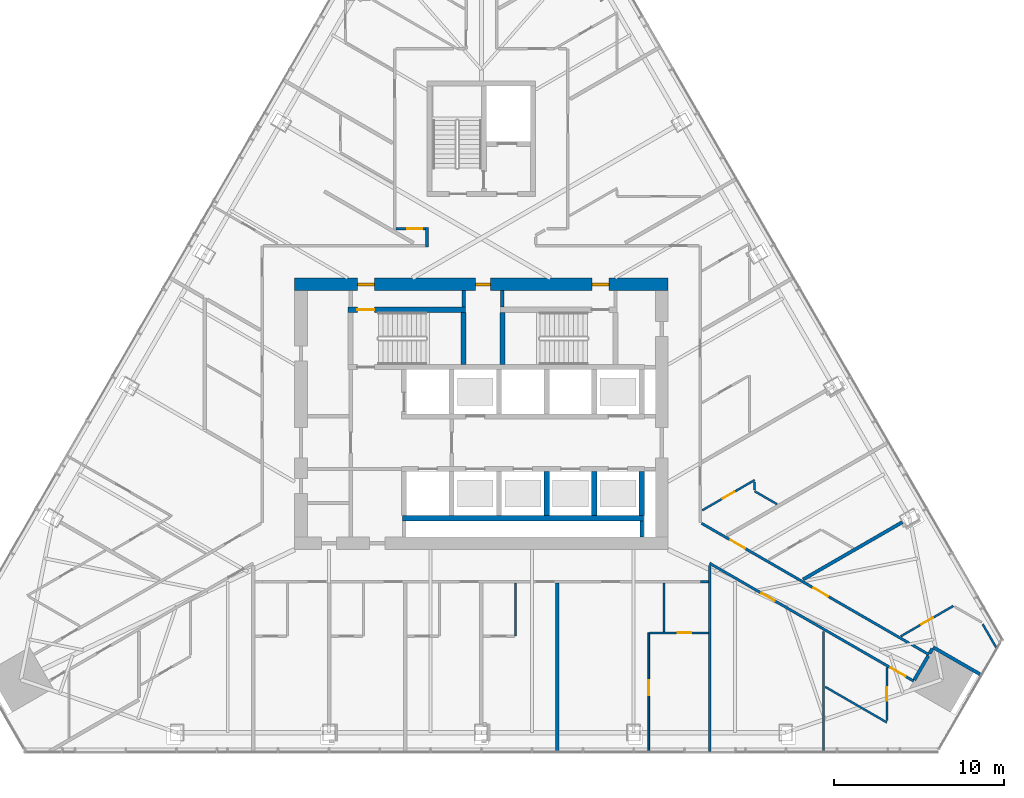
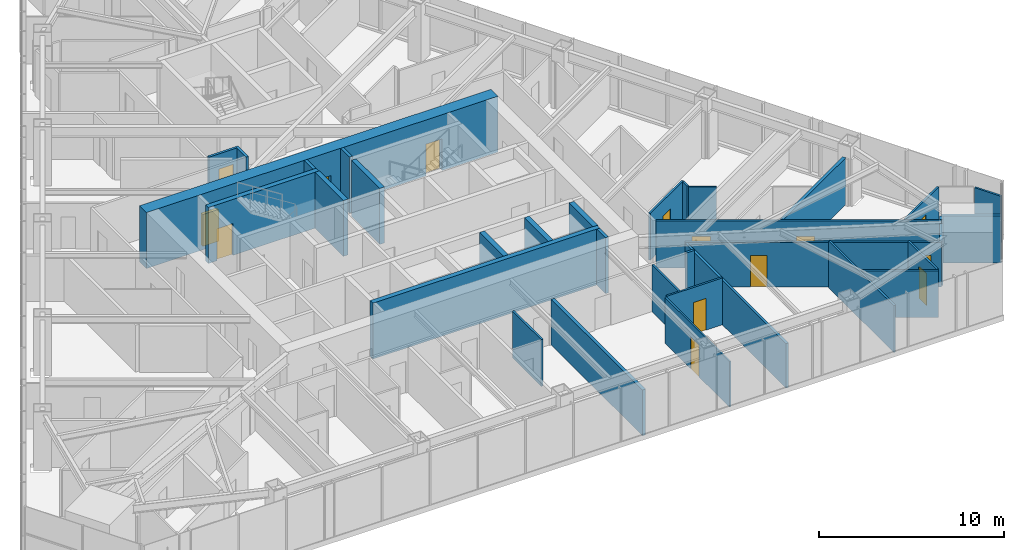
# One storey, part 16 of 21: 34 walls, 14 doors, 14 openings.
"""IFC4 building model written with IfcOpenShell, lengths in metres."""

from ifc_helpers import new_model, si_unit, direction, frame, frame_2d, origin, place, context, subcontext, project, spatial, rectangle, extrude, material, layer, layer_set, type_object, element, fill, save


model = new_model("IFC4")

# Units and contexts
model_context = context("Model", 3, precision=1e-05, world=origin(), true_north=direction((0.0, 1.0)))
body_context = subcontext(model_context, "Body", "Model", "MODEL_VIEW")
ifc_project = project(units=[si_unit("LENGTHUNIT", "METRE"), si_unit("AREAUNIT", "SQUARE_METRE"), si_unit("VOLUMEUNIT", "CUBIC_METRE"), si_unit("PLANEANGLEUNIT", "RADIAN"), si_unit("MASSUNIT", "GRAM", prefix="KILO")], contexts=[model_context])

# Site, building, storey
site_placement = place(None, origin())
site = spatial("IfcSite", under=ifc_project, at=site_placement, CompositionType="ELEMENT")
building_placement = place(site_placement, origin())
building = spatial("IfcBuilding", under=site, at=building_placement, Name="Firuza Gate Tower and Library", CompositionType="ELEMENT")
storey_placement = place(building_placement, frame((0.0, 0.0, 167.5)))
storey = spatial("IfcBuildingStorey", under=building, at=storey_placement, Name="L38", CompositionType="ELEMENT", Elevation=167.5)

# Walls
ifc_material_1 = material(Name="Plasterboard on steel studs", Category="steel")
ifc_layer_1 = layer(ifc_material_1, 0.199951171875)
ifc_layer_set_1 = layer_set([ifc_layer_1], Name="Core partition 200 EI 120")
wall_type_1 = type_object("IfcWallType", Name="Core partition 200 EI 120", PredefinedType="PARTITIONING", material=ifc_layer_set_1)
wall_1_placement = place(storey_placement, frame((84.449951171875, 67.75, 0.0), z_axis=(0.0, 0.0, 1.0), x_axis=(0.0, 1.0, 0.0)))
element("IfcWall", 1, at=wall_1_placement, inside=storey, type_object=wall_type_1, Name="Core partition L38 15", PredefinedType="PARTITIONING", context=body_context, shape_type="SweptSolid", body=[
    extrude(rectangle(XDim=0.949951171875, YDim=0.199951171875, at=frame_2d((0.47509765625, 0.0))), origin(), (0.0, 0.0, 1.0), 3.699951171875),
])
ifc_material_2 = material(Name="Plasterboard on steel studs", Category="steel")
ifc_layer_2 = layer(ifc_material_2, 0.199951171875)
ifc_layer_set_2 = layer_set([ifc_layer_2], Name="Core partition 200 EI 60")
wall_type_2 = type_object("IfcWallType", Name="Core partition 200 EI 60", PredefinedType="PARTITIONING", material=ifc_layer_set_2)
for number, where, z_axis, x_axis, name in (
    (2, (73.9599609375, 81.280029296875, 0.0), (0.0, 0.0, 1.0), (0.0, 1.0, 0.0), "Core partition L38 12"),
    (3, (76.239990234375, 81.280029296875, 0.0), (0.0, 0.0, 1.0), (0.0, 1.0, 0.0), "Core partition L38 13"),
):
    element("IfcWall", number, at=place(storey_placement, frame(where, z_axis=z_axis, x_axis=x_axis)), inside=storey, type_object=wall_type_2, Name=name, PredefinedType="PARTITIONING", context=body_context, shape_type="SweptSolid", body=[
        extrude(rectangle(XDim=0.969970703125, YDim=0.199951171875, at=frame_2d((0.48486328125, 0.0))), origin(), (0.0, 0.0, 1.0), 3.699951171875),
    ])
ifc_material_3 = material(Name="Concrete C80/95", Category="concrete")
ifc_layer_3 = layer(ifc_material_3, 0.300048828125)
ifc_layer_set_3 = layer_set([ifc_layer_3], Name="Core wall 300 C80/95")
wall_type_3 = type_object("IfcWallType", Name="Core wall 300 C80/95", PredefinedType="SHEAR", material=ifc_layer_set_3)
wall_2_placement = place(storey_placement, frame((70.35009765625, 68.85009765625, 0.0), z_axis=(0.0, 0.0, 1.0), x_axis=(1.0, 0.0, 0.0)))
element("IfcWall", 4, at=wall_2_placement, inside=storey, type_object=wall_type_3, Name="Core wall L38 5", PredefinedType="SHEAR", context=body_context, shape_type="SweptSolid", body=[
    extrude(rectangle(XDim=14.199951171875, YDim=0.300048828125, at=frame_2d((7.10009765625, 0.0))), origin(), (0.0, 0.0, 1.0), 3.699951171875),
])
for number, where, z_axis, x_axis, name in (
    (5, (78.85009765625, 69.0, 0.0), (0.0, 0.0, 1.0), (0.0, 1.0, 0.0), "Core wall L38 14"),
    (6, (81.64990234375, 69.0, 0.0), (0.0, 0.0, 1.0), (0.0, 1.0, 0.0), "Core wall L38 16"),
    (7, (84.449951171875, 69.0, 0.0), (0.0, 0.0, 1.0), (0.0, 1.0, 0.0), "Core wall L38 18"),
):
    element("IfcWall", number, at=place(storey_placement, frame(where, z_axis=z_axis, x_axis=x_axis)), inside=storey, type_object=wall_type_3, Name=name, PredefinedType="SHEAR", context=body_context, shape_type="SweptSolid", body=[
        extrude(rectangle(XDim=2.60009765625, YDim=0.300048828125, at=frame_2d((1.300048828125, 0.0))), origin(), (0.0, 0.0, 1.0), 3.699951171875),
    ])

# Wall, opening, door
wall_3_placement = place(storey_placement, frame((67.14990234375, 81.1298828125, 0.0), z_axis=(0.0, 0.0, 1.0), x_axis=(1.0, 0.0, 0.0)))
wall_3 = element("IfcWall", 8, at=wall_3_placement, inside=storey, type_object=wall_type_3, Name="Core wall L38 21", PredefinedType="SHEAR", context=body_context, shape_type="SweptSolid", body=[
    extrude(rectangle(XDim=6.91015625, YDim=0.300048828125, at=frame_2d((3.455078125, 0.0))), origin(), (0.0, 0.0, 1.0), 3.699951171875),
])
opening_1_placement = place(wall_3_placement, frame((0.544921875, 0.0, 0.0)))
opening_1 = element("IfcOpeningElement", 9, at=opening_1_placement, cuts=wall_3, Name="Opening L38-K11", PredefinedType="OPENING", context=body_context, shape_type="SweptSolid", body=[
    extrude(rectangle(XDim=1.0, YDim=2.10009765625, at=frame_2d((0.5, 1.050048828125))), frame((0.0, 0.16015625, 0.0), z_axis=(0.0, -1.0, 0.0), x_axis=(1.0, 0.0, 0.0)), (0.0, 0.0, 1.0), 0.320068359375),
])
ifc_material_4 = material(Name="Steel", Category="steel")
door_type_1 = type_object("IfcDoorType", Name="Fire door 1000x2100 FD90", OperationType="NOTDEFINED", PredefinedType="DOOR", material=ifc_material_4)
door_1_placement = place(opening_1_placement, origin())
door_1 = element("IfcDoor", 10, at=door_1_placement, inside=storey, type_object=door_type_1, Name="Door L38-K11", OperationType="SINGLE_SWING_RIGHT", OverallHeight=2.10009765625, OverallWidth=1.0, PredefinedType="DOOR", context=body_context, shape_type="SweptSolid", body=[
    extrude(rectangle(XDim=1.0, YDim=2.10009765625, at=frame_2d((0.5, 1.050048828125))), frame((0.0, 0.02490234375, 0.0), z_axis=(0.0, -1.0, 0.0), x_axis=(1.0, 0.0, 0.0)), (0.0, 0.0, 1.0), 0.050048828125),
])
fill(opening_1, door_1)

# Walls
for number, where, z_axis, x_axis, name in (
    (11, (73.9599609375, 77.89990234375, 0.0), (0.0, 0.0, 1.0), (0.0, 1.0, 0.0), "Core wall L38 24"),
    (12, (76.239990234375, 77.89990234375, 0.0), (0.0, 0.0, 1.0), (0.0, 1.0, 0.0), "Core wall L38 25"),
):
    element("IfcWall", number, at=place(storey_placement, frame(where, z_axis=z_axis, x_axis=x_axis)), inside=storey, type_object=wall_type_3, Name=name, PredefinedType="SHEAR", context=body_context, shape_type="SweptSolid", body=[
        extrude(rectangle(XDim=3.080078125, YDim=0.300048828125, at=frame_2d((1.5400390625, 0.0))), origin(), (0.0, 0.0, 1.0), 3.699951171875),
    ])

# Wall, openings, doors
ifc_material_5 = material(Name="Concrete C80/95", Category="concrete")
ifc_layer_4 = layer(ifc_material_5, 0.75)
ifc_layer_set_4 = layer_set([ifc_layer_4], Name="Core wall 750 C80/95")
wall_type_4 = type_object("IfcWallType", Name="Core wall 750 C80/95", PredefinedType="SHEAR", material=ifc_layer_set_4)
wall_4_placement = place(storey_placement, frame((64.0, 82.625, 0.0), z_axis=(0.0, 0.0, 1.0), x_axis=(1.0, 0.0, 0.0)))
wall_4 = element("IfcWall", 13, at=wall_4_placement, inside=storey, type_object=wall_type_4, Name="Core wall L38 2", PredefinedType="SHEAR", context=body_context, shape_type="SweptSolid", body=[
    extrude(rectangle(XDim=22.0, YDim=0.75, at=frame_2d((11.0, 0.0))), origin(), (0.0, 0.0, 1.0), 3.699951171875),
])
opening_2_placement = place(wall_4_placement, frame((3.695068359375, 0.0, 0.0)))
opening_2 = element("IfcOpeningElement", 14, at=opening_2_placement, cuts=wall_4, Name="Opening L38-K12", PredefinedType="OPENING", context=body_context, shape_type="SweptSolid", body=[
    extrude(rectangle(XDim=1.0, YDim=2.10009765625, at=frame_2d((0.5, 1.050048828125))), frame((0.0, 0.385009765625, 0.0), z_axis=(0.0, -1.0, 0.0), x_axis=(1.0, 0.0, 0.0)), (0.0, 0.0, 1.0), 0.77001953125),
])
opening_3_placement = place(wall_4_placement, frame((17.5048828125, 0.0, 0.0)))
opening_3 = element("IfcOpeningElement", 15, at=opening_3_placement, cuts=wall_4, Name="Opening L38-K14", PredefinedType="OPENING", context=body_context, shape_type="SweptSolid", body=[
    extrude(rectangle(XDim=1.0, YDim=2.10009765625, at=frame_2d((0.5, 1.050048828125))), frame((0.0, 0.385009765625, 0.0), z_axis=(0.0, -1.0, 0.0), x_axis=(1.0, 0.0, 0.0)), (0.0, 0.0, 1.0), 0.77001953125),
])
opening_4_placement = place(wall_4_placement, frame((10.64990234375, 0.0, 0.0)))
opening_4 = element("IfcOpeningElement", 16, at=opening_4_placement, cuts=wall_4, Name="Opening L38-K26", PredefinedType="OPENING", context=body_context, shape_type="SweptSolid", body=[
    extrude(rectangle(XDim=0.89990234375, YDim=2.10009765625, at=frame_2d((0.449951171875, 1.050048828125))), frame((0.0, 0.385009765625, 0.0), z_axis=(0.0, -1.0, 0.0), x_axis=(1.0, 0.0, 0.0)), (0.0, 0.0, 1.0), 0.77001953125),
])
door_2_placement = place(opening_2_placement, origin())
door_2 = element("IfcDoor", 17, at=door_2_placement, inside=storey, type_object=door_type_1, Name="Door L38-K12", OperationType="SINGLE_SWING_LEFT", OverallHeight=2.10009765625, OverallWidth=1.0, PredefinedType="DOOR", context=body_context, shape_type="SweptSolid", body=[
    extrude(rectangle(XDim=1.0, YDim=2.10009765625, at=frame_2d((0.5, 1.050048828125))), frame((0.0, 0.094970703125, 0.0), z_axis=(0.0, -1.0, 0.0), x_axis=(1.0, 0.0, 0.0)), (0.0, 0.0, 1.0), 0.18994140625),
])
fill(opening_2, door_2)
door_3_placement = place(opening_3_placement, origin())
door_3 = element("IfcDoor", 18, at=door_3_placement, inside=storey, type_object=door_type_1, Name="Door L38-K14", OperationType="SINGLE_SWING_LEFT", OverallHeight=2.10009765625, OverallWidth=1.0, PredefinedType="DOOR", context=body_context, shape_type="SweptSolid", body=[
    extrude(rectangle(XDim=1.0, YDim=2.10009765625, at=frame_2d((0.5, 1.050048828125))), frame((0.0, 0.094970703125, 0.0), z_axis=(0.0, -1.0, 0.0), x_axis=(1.0, 0.0, 0.0)), (0.0, 0.0, 1.0), 0.18994140625),
])
fill(opening_3, door_3)
ifc_material_6 = material(Name="Steel", Category="steel")
door_type_2 = type_object("IfcDoorType", Name="Fire door 900x2100 FD30S", OperationType="NOTDEFINED", PredefinedType="DOOR", material=ifc_material_6)
door_4_placement = place(opening_4_placement, origin())
door_4 = element("IfcDoor", 19, at=door_4_placement, inside=storey, type_object=door_type_2, Name="Door L38-K26", OperationType="SINGLE_SWING_LEFT", OverallHeight=2.10009765625, OverallWidth=0.89990234375, PredefinedType="DOOR", context=body_context, shape_type="SweptSolid", body=[
    extrude(rectangle(XDim=0.89990234375, YDim=2.10009765625, at=frame_2d((0.449951171875, 1.050048828125))), frame((0.0, 0.094970703125, 0.0), z_axis=(0.0, -1.0, 0.0), x_axis=(1.0, 0.0, 0.0)), (0.0, 0.0, 1.0), 0.18994140625),
])
fill(opening_4, door_4)

# Wall
ifc_material_7 = material(Name="Gypsum board partition")
ifc_layer_5 = layer(ifc_material_7, 0.14990234375)
ifc_layer_set_5 = layer_set([ifc_layer_5], Name="Corridor wall 150 double board on steel studs")
wall_type_5 = type_object("IfcWallType", Name="Corridor wall 150 double board on steel studs", PredefinedType="PARTITIONING", material=ifc_layer_set_5)
wall_5_placement = place(storey_placement, frame((87.89990234375, 65.118896484375, 0.0), z_axis=(0.0, 0.0, 1.0), x_axis=(1.0, 0.0, 0.0)))
element("IfcWall", 20, at=wall_5_placement, inside=storey, type_object=wall_type_5, Name="f:L38:w010", PredefinedType="PARTITIONING", context=body_context, shape_type="SweptSolid", body=[
    extrude(rectangle(XDim=0.468017578125, YDim=0.14990234375, at=frame_2d((0.23388671875, 0.0))), origin(), (0.0, 0.0, 1.0), 3.10009765625),
])

# Wall, opening, door
wall_6_placement = place(storey_placement, frame((69.9755859375, 85.89990234375, 0.0), z_axis=(0.0, 0.0, 1.0), x_axis=(1.0, 0.0, 0.0)))
wall_6 = element("IfcWall", 21, at=wall_6_placement, inside=storey, type_object=wall_type_5, Name="f:L38:w013", PredefinedType="PARTITIONING", context=body_context, shape_type="SweptSolid", body=[
    extrude(rectangle(XDim=1.74951171875, YDim=0.14990234375, at=frame_2d((0.874755859375, 0.0))), origin(), (0.0, 0.0, 1.0), 3.10009765625),
])
opening_5_placement = place(wall_6_placement, frame((0.645751953125, 0.0, 0.0)))
opening_5 = element("IfcOpeningElement", 22, at=opening_5_placement, cuts=wall_6, Name="Opening L38-12", PredefinedType="OPENING", context=body_context, shape_type="SweptSolid", body=[
    extrude(rectangle(XDim=0.89990234375, YDim=2.10009765625, at=frame_2d((0.449951171875, 1.050048828125))), frame((0.0, 0.0849609375, 0.0), z_axis=(0.0, -1.0, 0.0), x_axis=(1.0, 0.0, 0.0)), (0.0, 0.0, 1.0), 0.169921875),
])
ifc_material_8 = material(Name="Steel door and timber leaf", Category="steel")
door_type_3 = type_object("IfcDoorType", Name="Fire door 900 x 2100 steel frame, timber leaf", OperationType="NOTDEFINED", PredefinedType="DOOR", material=ifc_material_8)
door_5_placement = place(opening_5_placement, origin())
door_5 = element("IfcDoor", 23, at=door_5_placement, inside=storey, type_object=door_type_3, Name="f:L38:d012", OperationType="SINGLE_SWING_RIGHT", OverallHeight=2.10009765625, OverallWidth=0.89990234375, PredefinedType="DOOR", context=body_context, shape_type="SweptSolid", body=[
    extrude(rectangle(XDim=0.89990234375, YDim=2.10009765625, at=frame_2d((0.449951171875, 1.050048828125))), frame((0.0, 0.02490234375, 0.0), z_axis=(0.0, -1.0, 0.0), x_axis=(1.0, 0.0, 0.0)), (0.0, 0.0, 1.0), 0.050048828125),
])
fill(opening_5, door_5)

# Walls
wall_7_placement = place(storey_placement, frame((88.443115234375, 55.12060546875, 0.0), z_axis=(0.0, 0.0, 1.0), x_axis=(0.0, 1.0, 0.0)))
element("IfcWall", 24, at=wall_7_placement, inside=storey, type_object=wall_type_5, Name="f:L38:w053", PredefinedType="PARTITIONING", context=body_context, shape_type="SweptSolid", body=[
    extrude(rectangle(XDim=10.9423828125, YDim=0.14990234375, at=frame_2d((5.47119140625, 0.0))), origin(), (0.0, 0.0, 1.0), 2.947021484375),
])
wall_8_placement = place(storey_placement, frame((71.800048828125, 84.824951171875, 0.0), z_axis=(0.0, 0.0, 1.0), x_axis=(0.0, 1.0, 0.0)))
element("IfcWall", 25, at=wall_8_placement, inside=storey, type_object=wall_type_5, Name="f:L38:w070", PredefinedType="PARTITIONING", context=body_context, shape_type="SweptSolid", body=[
    extrude(rectangle(XDim=1.150146484375, YDim=0.14990234375, at=frame_2d((0.5751953125, 0.0))), origin(), (0.0, 0.0, 1.0), 3.10009765625),
])

# Wall, openings, doors
wall_9_placement = place(storey_placement, frame((87.97509765625, 68.548095703125, 0.0), z_axis=(0.0, 0.0, 1.0), x_axis=(0.866029648708, -0.499992647504, 0.0)))
wall_9 = element("IfcWall", 26, at=wall_9_placement, inside=storey, type_object=wall_type_5, Name="f:L38:w105", PredefinedType="PARTITIONING", context=body_context, shape_type="SweptSolid", body=[
    extrude(rectangle(XDim=15.460693359375, YDim=0.14990234375, at=frame_2d((7.73046875, 0.0))), origin(), (0.0, 0.0, 1.0), 3.10009765625),
])
opening_6_placement = place(wall_9_placement, frame((1.947998046875, 0.0, 0.0)))
opening_6 = element("IfcOpeningElement", 27, at=opening_6_placement, cuts=wall_9, Name="Opening L38-46", PredefinedType="OPENING", context=body_context, shape_type="SweptSolid", body=[
    extrude(rectangle(XDim=1.0, YDim=2.10009765625, at=frame_2d((0.5, 1.050048828125))), frame((0.0, 0.0849609375, 0.0), z_axis=(0.0, -1.0, 0.0), x_axis=(1.0, 0.0, 0.0)), (0.0, 0.0, 1.0), 0.169921875),
])
opening_7_placement = place(wall_9_placement, frame((7.60205078125, 0.0, 0.0)))
opening_7 = element("IfcOpeningElement", 28, at=opening_7_placement, cuts=wall_9, Name="Opening L38-47", PredefinedType="OPENING", context=body_context, shape_type="SweptSolid", body=[
    extrude(rectangle(XDim=1.0, YDim=2.10009765625, at=frame_2d((0.5, 1.050048828125))), frame((0.0, 0.0849609375, 0.0), z_axis=(0.0, -1.0, 0.0), x_axis=(1.0, 0.0, 0.0)), (0.0, 0.0, 1.0), 0.169921875),
])
ifc_material_9 = material(Name="Steel door and timber leaf", Category="steel")
door_type_4 = type_object("IfcDoorType", Name="Fire door 1000 x 2100 steel frame, timber leaf", OperationType="NOTDEFINED", PredefinedType="DOOR", material=ifc_material_9)
door_6_placement = place(opening_6_placement, origin())
door_6 = element("IfcDoor", 29, at=door_6_placement, inside=storey, type_object=door_type_4, Name="f:L38:d046", OperationType="SINGLE_SWING_RIGHT", OverallHeight=2.10009765625, OverallWidth=1.0, PredefinedType="DOOR", context=body_context, shape_type="SweptSolid", body=[
    extrude(rectangle(XDim=1.0, YDim=2.10009765625, at=frame_2d((0.5, 1.050048828125))), frame((0.0, 0.02490234375, 0.0), z_axis=(0.0, -1.0, 0.0), x_axis=(1.0, 0.0, 0.0)), (0.0, 0.0, 1.0), 0.050048828125),
])
fill(opening_6, door_6)
door_7_placement = place(opening_7_placement, origin())
door_7 = element("IfcDoor", 30, at=door_7_placement, inside=storey, type_object=door_type_4, Name="f:L38:d047", OperationType="SINGLE_SWING_RIGHT", OverallHeight=2.10009765625, OverallWidth=1.0, PredefinedType="DOOR", context=body_context, shape_type="SweptSolid", body=[
    extrude(rectangle(XDim=1.0, YDim=2.10009765625, at=frame_2d((0.5, 1.050048828125))), frame((0.0, 0.02490234375, 0.0), z_axis=(0.0, -1.0, 0.0), x_axis=(1.0, 0.0, 0.0)), (0.0, 0.0, 1.0), 0.050048828125),
])
fill(opening_7, door_7)

wall_10_placement = place(storey_placement, frame((100.464111328125, 59.25927734375, 0.0), z_axis=(0.0, 0.0, 1.0), x_axis=(-0.866026545444, 0.499998022582, 0.0)))
wall_10 = element("IfcWall", 31, at=wall_10_placement, inside=storey, type_object=wall_type_5, Name="f:L38:w106", PredefinedType="PARTITIONING", context=body_context, shape_type="SweptSolid", body=[
    extrude(rectangle(XDim=13.880859375, YDim=0.14990234375, at=frame_2d((6.9404296875, 0.0))), origin(), (0.0, 0.0, 1.0), 2.947021484375),
])
opening_8_placement = place(wall_10_placement, frame((0.56591796875, 0.0, 0.0)))
opening_8 = element("IfcOpeningElement", 32, at=opening_8_placement, cuts=wall_10, Name="Opening L38-48", PredefinedType="OPENING", context=body_context, shape_type="SweptSolid", body=[
    extrude(rectangle(XDim=1.0, YDim=2.10009765625, at=frame_2d((0.5, 1.050048828125))), frame((0.0, 0.0849609375, 0.0), z_axis=(0.0, -1.0, 0.0), x_axis=(1.0, 0.0, 0.0)), (0.0, 0.0, 1.0), 0.169921875),
])
opening_9_placement = place(wall_10_placement, frame((9.448486328125, 0.0, 0.0)))
opening_9 = element("IfcOpeningElement", 33, at=opening_9_placement, cuts=wall_10, Name="Opening L38-49", PredefinedType="OPENING", context=body_context, shape_type="SweptSolid", body=[
    extrude(rectangle(XDim=0.89990234375, YDim=2.10009765625, at=frame_2d((0.449951171875, 1.050048828125))), frame((0.0, 0.0849609375, 0.0), z_axis=(0.0, -1.0, 0.0), x_axis=(1.0, 0.0, 0.0)), (0.0, 0.0, 1.0), 0.169921875),
])
door_8_placement = place(opening_8_placement, origin())
door_8 = element("IfcDoor", 34, at=door_8_placement, inside=storey, type_object=door_type_4, Name="f:L38:d048", OperationType="SINGLE_SWING_LEFT", OverallHeight=2.10009765625, OverallWidth=1.0, PredefinedType="DOOR", context=body_context, shape_type="SweptSolid", body=[
    extrude(rectangle(XDim=1.0, YDim=2.10009765625, at=frame_2d((0.5, 1.050048828125))), frame((0.0, 0.02490234375, 0.0), z_axis=(0.0, -1.0, 0.0), x_axis=(1.0, 0.0, 0.0)), (0.0, 0.0, 1.0), 0.050048828125),
])
fill(opening_8, door_8)
door_9_placement = place(opening_9_placement, origin())
door_9 = element("IfcDoor", 35, at=door_9_placement, inside=storey, type_object=door_type_3, Name="f:L38:d049", OperationType="SINGLE_SWING_RIGHT", OverallHeight=2.10009765625, OverallWidth=0.89990234375, PredefinedType="DOOR", context=body_context, shape_type="SweptSolid", body=[
    extrude(rectangle(XDim=0.89990234375, YDim=2.10009765625, at=frame_2d((0.449951171875, 1.050048828125))), frame((0.0, 0.02490234375, 0.0), z_axis=(0.0, -1.0, 0.0), x_axis=(1.0, 0.0, 0.0)), (0.0, 0.0, 1.0), 0.050048828125),
])
fill(opening_9, door_9)

# Walls
ifc_material_10 = material(Name="Gypsum board partition")
ifc_layer_6 = layer(ifc_material_10, 0.199951171875)
ifc_layer_set_6 = layer_set([ifc_layer_6], Name="Demising wall 200 acoustic double stud")
wall_type_6 = type_object("IfcWallType", Name="Demising wall 200 acoustic double stud", PredefinedType="PARTITIONING", material=ifc_layer_set_6)
wall_11_placement = place(storey_placement, frame((93.950927734375, 65.24462890625, 0.0), z_axis=(0.0, 0.0, 1.0), x_axis=(0.866027052535, 0.49999714427, 0.0)))
element("IfcWall", 36, at=wall_11_placement, inside=storey, type_object=wall_type_6, Name="f:L38:w023", PredefinedType="PARTITIONING", context=body_context, shape_type="SweptSolid", body=[
    extrude(rectangle(XDim=6.74462890625, YDim=0.199951171875, at=frame_2d((3.372314453125, 0.0))), origin(), (0.0, 0.0, 1.0), 3.10009765625),
])
wall_12_placement = place(storey_placement, frame((100.501953125, 59.324462890625, 0.0), z_axis=(0.0, 0.0, 1.0), x_axis=(0.499991515992, 0.866030301974, 0.0)))
element("IfcWall", 37, at=wall_12_placement, inside=storey, type_object=wall_type_6, Name="f:L38:w045", PredefinedType="PARTITIONING", context=body_context, shape_type="SweptSolid", body=[
    extrude(rectangle(XDim=1.6494140625, YDim=0.199951171875, at=frame_2d((0.82470703125, 0.0))), origin(), (0.0, 0.0, 1.0), 2.947021484375),
])
wall_13_placement = place(storey_placement, frame((79.48095703125, 55.12060546875, 0.0), z_axis=(0.0, 0.0, 1.0), x_axis=(0.0, 1.0, 0.0)))
element("IfcWall", 38, at=wall_13_placement, inside=storey, type_object=wall_type_6, Name="f:L38:w060", PredefinedType="PARTITIONING", context=body_context, shape_type="SweptSolid", body=[
    extrude(rectangle(XDim=9.904296875, YDim=0.199951171875, at=frame_2d((4.9521484375, 0.0))), origin(), (0.0, 0.0, 1.0), 3.02197265625),
])
wall_14_placement = place(storey_placement, frame((104.437744140625, 59.620849609375, 0.0), z_axis=(0.0, 0.0, 1.0), x_axis=(-0.866035906198, 0.499981808845, 0.0)))
element("IfcWall", 39, at=wall_14_placement, inside=storey, type_object=wall_type_6, Name="f:L38:w104", PredefinedType="PARTITIONING", context=body_context, shape_type="SweptSolid", body=[
    extrude(rectangle(XDim=3.25927734375, YDim=0.199951171875, at=frame_2d((1.629638671875, 0.0))), origin(), (0.0, 0.0, 1.0), 3.10009765625),
])
wall_15_placement = place(storey_placement, frame((101.401611328125, 60.8828125, 0.0), z_axis=(0.0, 0.0, 1.0), x_axis=(0.500265064493, 0.865872314633, 0.0)))
element("IfcWall", 40, at=wall_15_placement, inside=storey, type_object=wall_type_6, Name="f:L38:w118", PredefinedType="PARTITIONING", context=body_context, shape_type="SweptSolid", body=[
    extrude(rectangle(XDim=0.324462890625, YDim=0.199951171875, at=frame_2d((0.162109375, 0.0))), origin(), (0.0, 0.0, 1.0), 3.10009765625),
])

# Wall, opening, door
ifc_material_11 = material(Name="Gypsum board partition")
ifc_layer_7 = layer(ifc_material_11, 0.10009765625)
ifc_layer_set_7 = layer_set([ifc_layer_7], Name="Partition 100 gypsum board on steel studs")
wall_type_7 = type_object("IfcWallType", Name="Partition 100 gypsum board on steel studs", PredefinedType="PARTITIONING", material=ifc_layer_set_7)
wall_16_placement = place(storey_placement, frame((84.85791015625, 62.10009765625, 0.0), z_axis=(0.0, 0.0, 1.0), x_axis=(0.0, -1.0, 0.0)))
wall_16 = element("IfcWall", 41, at=wall_16_placement, inside=storey, type_object=wall_type_7, Name="f:L38:w056", PredefinedType="PARTITIONING", context=body_context, shape_type="SweptSolid", body=[
    extrude(rectangle(XDim=6.9794921875, YDim=0.10009765625, at=frame_2d((3.48974609375, 0.0))), origin(), (0.0, 0.0, 1.0), 3.02197265625),
])
opening_10_placement = place(wall_16_placement, frame((2.789794921875, 0.0, 0.0)))
opening_10 = element("IfcOpeningElement", 42, at=opening_10_placement, cuts=wall_16, Name="Opening L38-33", PredefinedType="OPENING", context=body_context, shape_type="SweptSolid", body=[
    extrude(rectangle(XDim=0.89990234375, YDim=2.10009765625, at=frame_2d((0.449951171875, 1.050048828125))), frame((0.0, 0.06005859375, 0.0), z_axis=(0.0, -1.0, 0.0), x_axis=(1.0, 0.0, 0.0)), (0.0, 0.0, 1.0), 0.1201171875),
])
ifc_material_12 = material(Name="Timber door", Category="wood")
door_type_5 = type_object("IfcDoorType", Name="Door 900 x 2100 timber leaf", OperationType="NOTDEFINED", PredefinedType="DOOR", material=ifc_material_12)
door_10_placement = place(opening_10_placement, origin())
door_10 = element("IfcDoor", 43, at=door_10_placement, inside=storey, type_object=door_type_5, Name="f:L38:d033", OperationType="SINGLE_SWING_LEFT", OverallHeight=2.10009765625, OverallWidth=0.89990234375, PredefinedType="DOOR", context=body_context, shape_type="SweptSolid", body=[
    extrude(rectangle(XDim=0.89990234375, YDim=2.10009765625, at=frame_2d((0.449951171875, 1.050048828125))), frame((0.0, 0.02490234375, 0.0), z_axis=(0.0, -1.0, 0.0), x_axis=(1.0, 0.0, 0.0)), (0.0, 0.0, 1.0), 0.050048828125),
])
fill(opening_10, door_10)

ifc_material_13 = material(Name="Gypsum board partition")
ifc_layer_8 = layer(ifc_material_13, 0.1201171875)
ifc_layer_set_8 = layer_set([ifc_layer_8], Name="Wet-area partition 120 moisture-resistant board")
wall_type_8 = type_object("IfcWallType", Name="Wet-area partition 120 moisture-resistant board", PredefinedType="PARTITIONING", material=ifc_layer_set_8)
wall_17_placement = place(storey_placement, frame((84.908203125, 62.10009765625, 0.0), z_axis=(0.0, 0.0, 1.0), x_axis=(1.0, 0.0, 0.0)))
wall_17 = element("IfcWall", 44, at=wall_17_placement, inside=storey, type_object=wall_type_8, Name="f:L38:w007", PredefinedType="PARTITIONING", context=body_context, shape_type="SweptSolid", body=[
    extrude(rectangle(XDim=3.459716796875, YDim=0.1201171875, at=frame_2d((1.72998046875, 0.0))), origin(), (0.0, 0.0, 1.0), 3.10009765625),
])
opening_11_placement = place(wall_17_placement, frame((1.653076171875, 0.0, 0.0)))
opening_11 = element("IfcOpeningElement", 45, at=opening_11_placement, cuts=wall_17, Name="Opening L38-05", PredefinedType="OPENING", context=body_context, shape_type="SweptSolid", body=[
    extrude(rectangle(XDim=0.800048828125, YDim=2.10009765625, at=frame_2d((0.39990234375, 1.050048828125))), frame((0.0, 0.070068359375, 0.0), z_axis=(0.0, -1.0, 0.0), x_axis=(1.0, 0.0, 0.0)), (0.0, 0.0, 1.0), 0.14013671875),
])
ifc_material_14 = material(Name="Timber door", Category="wood")
door_type_6 = type_object("IfcDoorType", Name="Door 800 x 2100 timber leaf", OperationType="NOTDEFINED", PredefinedType="DOOR", material=ifc_material_14)
door_11_placement = place(opening_11_placement, origin())
door_11 = element("IfcDoor", 46, at=door_11_placement, inside=storey, type_object=door_type_6, Name="f:L38:d005", OperationType="SINGLE_SWING_LEFT", OverallHeight=2.10009765625, OverallWidth=0.800048828125, PredefinedType="DOOR", context=body_context, shape_type="SweptSolid", body=[
    extrude(rectangle(XDim=0.800048828125, YDim=2.10009765625, at=frame_2d((0.39990234375, 1.050048828125))), frame((0.0, 0.02490234375, 0.0), z_axis=(0.0, -1.0, 0.0), x_axis=(1.0, 0.0, 0.0)), (0.0, 0.0, 1.0), 0.050048828125),
])
fill(opening_11, door_11)

wall_18_placement = place(storey_placement, frame((102.800048828125, 63.68408203125, 0.0), z_axis=(0.0, 0.0, 1.0), x_axis=(-0.866028357664, -0.499994883695, 0.0)))
wall_18 = element("IfcWall", 47, at=wall_18_placement, inside=storey, type_object=wall_type_8, Name="f:L38:w021", PredefinedType="PARTITIONING", context=body_context, shape_type="SweptSolid", body=[
    extrude(rectangle(XDim=3.568359375, YDim=0.1201171875, at=frame_2d((1.7841796875, 0.0))), origin(), (0.0, 0.0, 1.0), 3.10009765625),
])
opening_12_placement = place(wall_18_placement, frame((1.38427734375, 0.0, 0.0)))
opening_12 = element("IfcOpeningElement", 48, at=opening_12_placement, cuts=wall_18, Name="Opening L38-15", PredefinedType="OPENING", context=body_context, shape_type="SweptSolid", body=[
    extrude(rectangle(XDim=0.800048828125, YDim=2.10009765625, at=frame_2d((0.39990234375, 1.050048828125))), frame((0.0, 0.070068359375, 0.0), z_axis=(0.0, -1.0, 0.0), x_axis=(1.0, 0.0, 0.0)), (0.0, 0.0, 1.0), 0.14013671875),
])
door_12_placement = place(opening_12_placement, origin())
door_12 = element("IfcDoor", 49, at=door_12_placement, inside=storey, type_object=door_type_6, Name="f:L38:d015", OperationType="SINGLE_SWING_LEFT", OverallHeight=2.10009765625, OverallWidth=0.800048828125, PredefinedType="DOOR", context=body_context, shape_type="SweptSolid", body=[
    extrude(rectangle(XDim=0.800048828125, YDim=2.10009765625, at=frame_2d((0.39990234375, 1.050048828125))), frame((0.0, 0.02490234375, 0.0), z_axis=(0.0, -1.0, 0.0), x_axis=(1.0, 0.0, 0.0)), (0.0, 0.0, 1.0), 0.050048828125),
])
fill(opening_12, door_12)

wall_19_placement = place(storey_placement, frame((91.100341796875, 71.100830078125, 0.0), z_axis=(0.0, 0.0, 1.0), x_axis=(-0.866045460162, -0.499965259726, 0.0)))
wall_19 = element("IfcWall", 50, at=wall_19_placement, inside=storey, type_object=wall_type_8, Name="f:L38:w026", PredefinedType="PARTITIONING", context=body_context, shape_type="SweptSolid", body=[
    extrude(rectangle(XDim=3.568603515625, YDim=0.1201171875, at=frame_2d((1.7841796875, 0.0))), origin(), (0.0, 0.0, 1.0), 3.10009765625),
])
opening_13_placement = place(wall_19_placement, frame((1.38427734375, 0.0, 0.0)))
opening_13 = element("IfcOpeningElement", 51, at=opening_13_placement, cuts=wall_19, Name="Opening L38-17", PredefinedType="OPENING", context=body_context, shape_type="SweptSolid", body=[
    extrude(rectangle(XDim=0.800048828125, YDim=2.10009765625, at=frame_2d((0.39990234375, 1.050048828125))), frame((0.0, 0.070068359375, 0.0), z_axis=(0.0, -1.0, 0.0), x_axis=(1.0, 0.0, 0.0)), (0.0, 0.0, 1.0), 0.14013671875),
])
door_13_placement = place(opening_13_placement, origin())
door_13 = element("IfcDoor", 52, at=door_13_placement, inside=storey, type_object=door_type_6, Name="f:L38:d017", OperationType="SINGLE_SWING_LEFT", OverallHeight=2.10009765625, OverallWidth=0.800048828125, PredefinedType="DOOR", context=body_context, shape_type="SweptSolid", body=[
    extrude(rectangle(XDim=0.800048828125, YDim=2.10009765625, at=frame_2d((0.39990234375, 1.050048828125))), frame((0.0, 0.02490234375, 0.0), z_axis=(0.0, -1.0, 0.0), x_axis=(1.0, 0.0, 0.0)), (0.0, 0.0, 1.0), 0.050048828125),
])
fill(opening_13, door_13)

wall_20_placement = place(storey_placement, frame((98.882080078125, 56.93310546875, 0.0), z_axis=(0.0, 0.0, 1.0), x_axis=(0.0, 1.0, 0.0)))
wall_20 = element("IfcWall", 53, at=wall_20_placement, inside=storey, type_object=wall_type_8, Name="f:L38:w047", PredefinedType="PARTITIONING", context=body_context, shape_type="SweptSolid", body=[
    extrude(rectangle(XDim=3.11279296875, YDim=0.1201171875, at=frame_2d((1.556396484375, 0.0))), origin(), (0.0, 0.0, 1.0), 3.10009765625),
])
opening_14_placement = place(wall_20_placement, frame((1.156494140625, 0.0, 0.0)))
opening_14 = element("IfcOpeningElement", 54, at=opening_14_placement, cuts=wall_20, Name="Opening L38-30", PredefinedType="OPENING", context=body_context, shape_type="SweptSolid", body=[
    extrude(rectangle(XDim=0.800048828125, YDim=2.10009765625, at=frame_2d((0.39990234375, 1.050048828125))), frame((0.0, 0.070068359375, 0.0), z_axis=(0.0, -1.0, 0.0), x_axis=(1.0, 0.0, 0.0)), (0.0, 0.0, 1.0), 0.14013671875),
])
door_14_placement = place(opening_14_placement, origin())
door_14 = element("IfcDoor", 55, at=door_14_placement, inside=storey, type_object=door_type_6, Name="f:L38:d030", OperationType="SINGLE_SWING_RIGHT", OverallHeight=2.10009765625, OverallWidth=0.800048828125, PredefinedType="DOOR", context=body_context, shape_type="SweptSolid", body=[
    extrude(rectangle(XDim=0.800048828125, YDim=2.10009765625, at=frame_2d((0.39990234375, 1.050048828125))), frame((0.0, 0.02490234375, 0.0), z_axis=(0.0, -1.0, 0.0), x_axis=(1.0, 0.0, 0.0)), (0.0, 0.0, 1.0), 0.050048828125),
])
fill(opening_14, door_14)

# Walls
wall_21_placement = place(storey_placement, frame((95.1640625, 55.12060546875, 0.0), z_axis=(0.0, 0.0, 1.0), x_axis=(0.0, 1.0, 0.0)))
element("IfcWall", 56, at=wall_21_placement, inside=storey, type_object=wall_type_8, Name="f:L38:w048", PredefinedType="PARTITIONING", context=body_context, shape_type="SweptSolid", body=[
    extrude(rectangle(XDim=7.07177734375, YDim=0.1201171875, at=frame_2d((3.535888671875, 0.0))), origin(), (0.0, 0.0, 1.0), 3.10009765625),
])
wall_22_placement = place(storey_placement, frame((91.10009765625, 70.50830078125, 0.0), z_axis=(0.0, 0.0, 1.0), x_axis=(0.0, 1.0, 0.0)))
element("IfcWall", 57, at=wall_22_placement, inside=storey, type_object=wall_type_8, Name="f:L38:w049", PredefinedType="PARTITIONING", context=body_context, shape_type="SweptSolid", body=[
    extrude(rectangle(XDim=0.483642578125, YDim=0.1201171875, at=frame_2d((0.24169921875, 0.0))), origin(), (0.0, 0.0, 1.0), 3.10009765625),
])
wall_23_placement = place(storey_placement, frame((85.75390625, 62.159912109375, 0.0), z_axis=(0.0, 0.0, 1.0), x_axis=(0.0, 1.0, 0.0)))
element("IfcWall", 58, at=wall_23_placement, inside=storey, type_object=wall_type_8, Name="f:L38:w055", PredefinedType="PARTITIONING", context=body_context, shape_type="SweptSolid", body=[
    extrude(rectangle(XDim=2.864990234375, YDim=0.1201171875, at=frame_2d((1.4326171875, 0.0))), origin(), (0.0, 0.0, 1.0), 3.10009765625),
])
wall_24_placement = place(storey_placement, frame((77.01611328125, 61.89990234375, 0.0), z_axis=(0.0, 0.0, 1.0), x_axis=(0.0, 1.0, 0.0)))
element("IfcWall", 59, at=wall_24_placement, inside=storey, type_object=wall_type_8, Name="f:L38:w063", PredefinedType="PARTITIONING", context=body_context, shape_type="SweptSolid", body=[
    extrude(rectangle(XDim=3.125, YDim=0.1201171875, at=frame_2d((1.5625, 0.0))), origin(), (0.0, 0.0, 1.0), 3.10009765625),
])
wall_25_placement = place(storey_placement, frame((105.346923828125, 61.195556640625, 0.0), z_axis=(0.0, 0.0, 1.0), x_axis=(-0.49992834617, 0.86606676919, 0.0)))
element("IfcWall", 60, at=wall_25_placement, inside=storey, type_object=wall_type_8, Name="f:L38:w086", PredefinedType="PARTITIONING", context=body_context, shape_type="SweptSolid", body=[
    extrude(rectangle(XDim=1.642333984375, YDim=0.1201171875, at=frame_2d((0.8212890625, 0.0))), origin(), (0.0, 0.0, 1.0), 3.10009765625),
])
wall_26_placement = place(storey_placement, frame((92.408203125, 69.68359375, 0.0), z_axis=(0.0, 0.0, 1.0), x_axis=(-0.865986401109, 0.500067548531, 0.0)))
element("IfcWall", 61, at=wall_26_placement, inside=storey, type_object=wall_type_8, Name="f:L38:w102", PredefinedType="PARTITIONING", context=body_context, shape_type="SweptSolid", body=[
    extrude(rectangle(XDim=1.510498046875, YDim=0.1201171875, at=frame_2d((0.75537109375, 0.0))), origin(), (0.0, 0.0, 1.0), 3.10009765625),
])
wall_27_placement = place(storey_placement, frame((98.882080078125, 56.823974609375, 0.0), z_axis=(0.0, 0.0, 1.0), x_axis=(-0.866022320763, 0.500005339912, 0.0)))
element("IfcWall", 62, at=wall_27_placement, inside=storey, type_object=wall_type_8, Name="f:L38:w108", PredefinedType="PARTITIONING", context=body_context, shape_type="SweptSolid", body=[
    extrude(rectangle(XDim=4.18359375, YDim=0.1201171875, at=frame_2d((2.091796875, 0.0))), origin(), (0.0, 0.0, 1.0), 3.10009765625),
])

save(model, "model.ifc")
